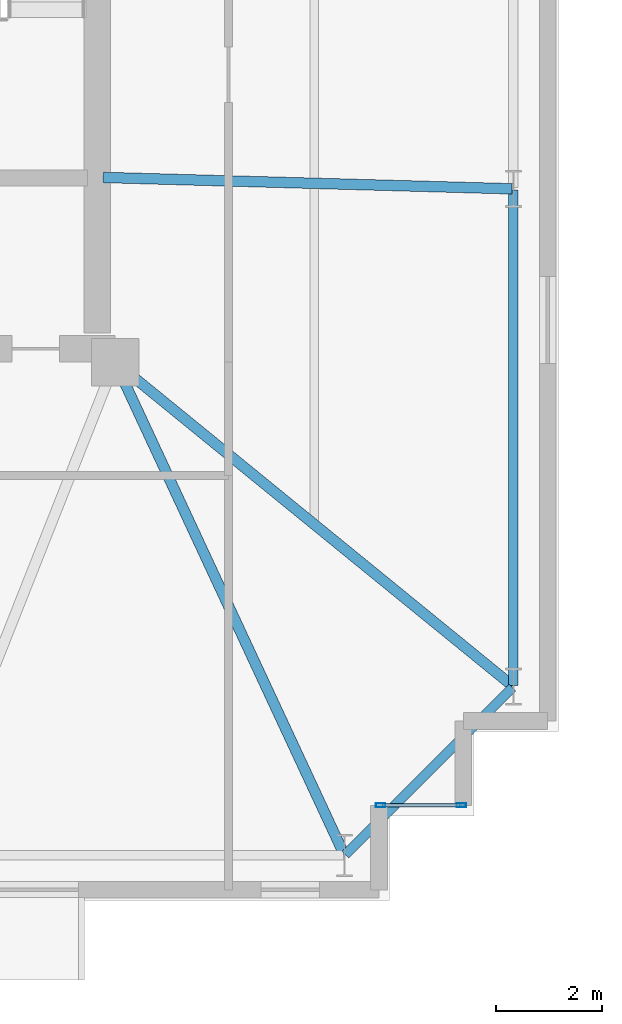
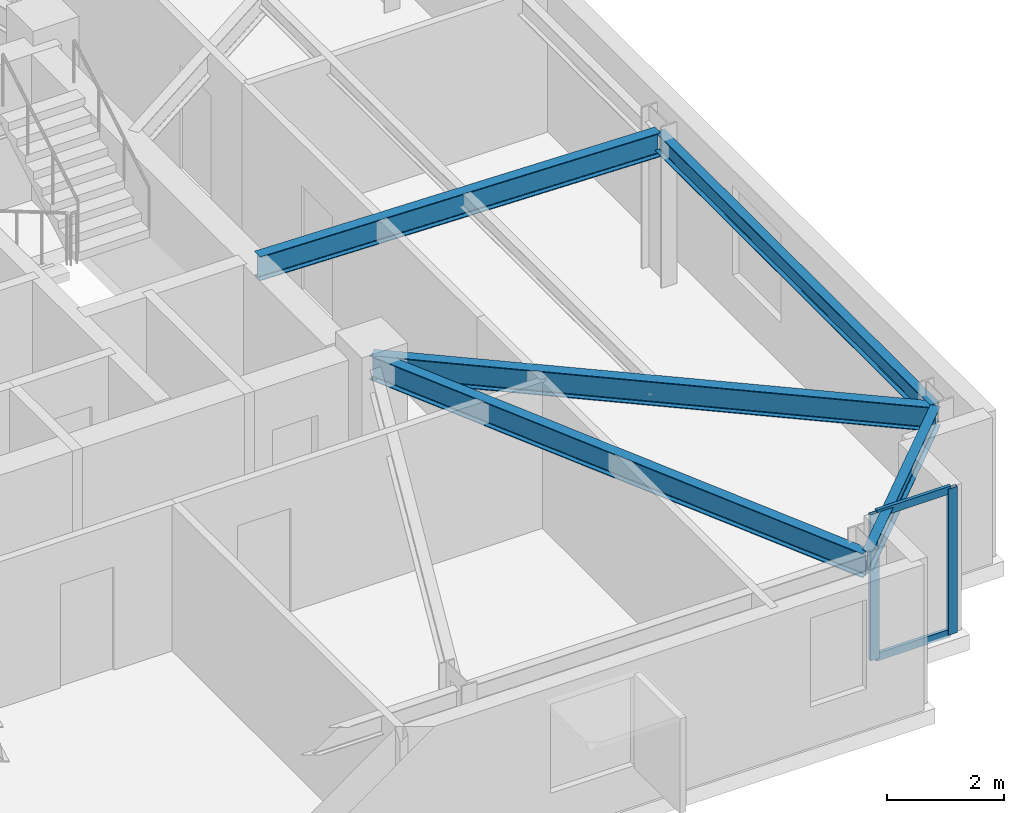
# One storey, part 5 of 17: 5 beams, 4 members, 1 element without a shape of its own.
"""IFC4 building model written with IfcOpenShell, lengths in metres."""

from ifc_helpers import new_model, si_unit, direction, frame, origin, origin_2d, place, context, subcontext, project, spatial, hollow_rectangle, i_section, extrude, material, layer, layer_set, material_profile, profile_set, type_object, element, aggregate, save


model = new_model("IFC4")

# Units and contexts
model_context = context("Model", 3, precision=1e-05, world=origin(), true_north=direction((0.0, 1.0)))
body_context = subcontext(model_context, "Body", "Model", "MODEL_VIEW")
ifc_project = project(units=[si_unit("LENGTHUNIT", "METRE"), si_unit("AREAUNIT", "SQUARE_METRE"), si_unit("VOLUMEUNIT", "CUBIC_METRE"), si_unit("PLANEANGLEUNIT", "RADIAN"), si_unit("MASSUNIT", "GRAM", prefix="KILO")], contexts=[model_context])

# Site, building, storey
site_placement = place(None, origin())
site = spatial("IfcSite", under=ifc_project, at=site_placement, CompositionType="ELEMENT")
building_placement = place(site_placement, origin())
building = spatial("IfcBuilding", under=site, at=building_placement, Name="Qobustan Lattice House", CompositionType="ELEMENT")
storey_placement = place(building_placement, frame((0.0, 0.0, 167.85009765625)))
storey = spatial("IfcBuildingStorey", under=building, at=storey_placement, Name="L47", CompositionType="ELEMENT", Elevation=167.85009765625)

# Beams
ifc_material_1 = material(Name="Steel S355", Category="steel")
ifc_material_profile_1 = material_profile(ifc_material_1, i_section(OverallWidth=0.199951171875, OverallDepth=0.5, WebThickness=0.01025390625, FlangeThickness=0.01611328125, FilletRadius=0.02099609375, at=origin_2d()), Name="IPE500")
ifc_profile_set_1 = profile_set([ifc_material_profile_1], Name="Steel S355")
beam_type_1 = type_object("IfcBeamType", Name="BM-FLG-IPE500", PredefinedType="USERDEFINED", material=ifc_profile_set_1)
beam_1_placement = place(storey_placement, frame((23.139404296875, -14.92724609375, 2.789794921875), z_axis=(-0.421827633168, 0.906676043521, 0.0), x_axis=(-0.906676043521, -0.421827633168, 0.0)))
element("IfcBeam", 1, at=beam_1_placement, inside=storey, type_object=beam_type_1, Name="L47 primary floor girder RAD-S7E", ObjectType="GIRDER", PredefinedType="USERDEFINED", context=body_context, shape_type="SweptSolid", body=[
    extrude(i_section(OverallWidth=0.199951171875, OverallDepth=0.5, WebThickness=0.01025390625, FlangeThickness=0.01611328125, FilletRadius=0.02099609375, at=origin_2d()), origin(), (0.0, 0.0, 1.0), 10.26220703125),
])
beam_2_placement = place(storey_placement, frame((26.324951171875, -2.31591796875, 2.789794921875), z_axis=(-0.999614226396, 0.027774059592, 0.0), x_axis=(-0.027774059592, -0.999614226396, 0.0)))
element("IfcBeam", 2, at=beam_2_placement, inside=storey, type_object=beam_type_1, Name="L47 primary floor girder RAD-E2", ObjectType="GIRDER", PredefinedType="USERDEFINED", context=body_context, shape_type="SweptSolid", body=[
    extrude(i_section(OverallWidth=0.199951171875, OverallDepth=0.5, WebThickness=0.01025390625, FlangeThickness=0.01611328125, FilletRadius=0.02099609375, at=origin_2d()), origin(), (0.0, 0.0, 1.0), 7.7529296875),
])
beam_3_placement = place(storey_placement, frame((26.33056640625, -11.734130859375, 2.789794921875), z_axis=(-0.775328675038, 0.631557951152, 0.0), x_axis=(-0.631557951152, -0.775328675038, 0.0)))
element("IfcBeam", 3, at=beam_3_placement, inside=storey, type_object=beam_type_1, Name="L47 primary floor girder RAD-E1", ObjectType="GIRDER", PredefinedType="USERDEFINED", context=body_context, shape_type="SweptSolid", body=[
    extrude(i_section(OverallWidth=0.199951171875, OverallDepth=0.5, WebThickness=0.01025390625, FlangeThickness=0.01611328125, FilletRadius=0.02099609375, at=origin_2d()), origin(), (0.0, 0.0, 1.0), 9.687744140625),
])
ifc_material_2 = material(Name="Steel S355", Category="steel")
ifc_material_profile_2 = material_profile(ifc_material_2, i_section(OverallWidth=0.179931640625, OverallDepth=0.39990234375, WebThickness=0.008544921875, FlangeThickness=0.013427734375, FilletRadius=0.02099609375, at=origin_2d()), Name="IPE400")
ifc_profile_set_2 = profile_set([ifc_material_profile_2], Name="Steel S355")
beam_type_2 = type_object("IfcBeamType", Name="BM-SPD-IPE400", PredefinedType="SPANDREL", material=ifc_profile_set_2)
beam_4_placement = place(storey_placement, frame((23.167724609375, -14.932373046875, 2.83984375), z_axis=(0.707079505568, 0.707134055753, 0.0), x_axis=(-0.707134055753, 0.707079505568, 0.0)))
element("IfcBeam", 4, at=beam_4_placement, inside=storey, type_object=beam_type_2, Name="L47 perimeter spandrel S7-E1", PredefinedType="SPANDREL", context=body_context, shape_type="SweptSolid", body=[
    extrude(i_section(OverallWidth=0.179931640625, OverallDepth=0.39990234375, WebThickness=0.008544921875, FlangeThickness=0.013427734375, FilletRadius=0.02099609375, at=origin_2d()), origin(), (0.0, 0.0, 1.0), 4.4755859375),
])
beam_5_placement = place(storey_placement, frame((26.35009765625, -11.72509765625, 2.83984375), z_axis=(0.0, 1.0, 0.0), x_axis=(-1.0, 0.0, 0.0)))
element("IfcBeam", 5, at=beam_5_placement, inside=storey, type_object=beam_type_2, Name="L47 perimeter spandrel E1-E2", PredefinedType="SPANDREL", context=body_context, shape_type="SweptSolid", body=[
    extrude(i_section(OverallWidth=0.179931640625, OverallDepth=0.39990234375, WebThickness=0.008544921875, FlangeThickness=0.013427734375, FilletRadius=0.02099609375, at=origin_2d()), origin(), (0.0, 0.0, 1.0), 9.38330078125),
])

# Curtain wall, members
ifc_material_3 = material(Name="Anodised aluminium and low-E glazing", Category="aluminium")
ifc_layer = layer(ifc_material_3, 0.219970703125)
ifc_layer_set = layer_set([ifc_layer], Name="Anodised aluminium and low-E glazing")
curtain_wall_type = type_object("IfcCurtainWallType", Name="CW-FAC-02", PredefinedType="USERDEFINED", material=ifc_layer_set)
curtain_wall_placement = place(storey_placement, origin())
curtain_wall = element("IfcCurtainWall", 6, at=curtain_wall_placement, inside=storey, type_object=curtain_wall_type, Name="L47 serrated corner faceted glazing 18", ObjectType="CURTAIN WALL", PredefinedType="USERDEFINED")
ifc_material_4 = material(Name="Anodised aluminium EN AW-6063 T6", Category="aluminium")
ifc_material_profile_3 = material_profile(ifc_material_4, hollow_rectangle(XDim=0.070068359375, YDim=0.179931640625, WallThickness=0.00439453125, at=origin_2d()), Name="CWM-180x70")
ifc_profile_set_3 = profile_set([ifc_material_profile_3], Name="Anodised aluminium EN AW-6063 T6")
member_type_1 = type_object("IfcMemberType", Name="CWM-STD-180", PredefinedType="MULLION", material=ifc_profile_set_3)
member_1_placement = place(storey_placement, frame((25.364990234375, -14.0, 0.0), z_axis=(0.0, 0.0, 1.0), x_axis=(0.0, -1.0, 0.0)))
member_1 = element("IfcMember", 7, at=member_1_placement, type_object=member_type_1, Name="CW-F2 mullion 1", PredefinedType="MULLION", context=body_context, shape_type="SweptSolid", body=[
    extrude(hollow_rectangle(XDim=0.070068359375, YDim=0.179931640625, WallThickness=0.00439453125, at=origin_2d()), origin(), (0.0, 0.0, 1.0), 3.039794921875),
])
member_2_placement = place(storey_placement, frame((23.8349609375, -14.0, 0.0), z_axis=(0.0, 0.0, 1.0), x_axis=(0.0, -1.0, 0.0)))
member_2 = element("IfcMember", 8, at=member_2_placement, type_object=member_type_1, Name="CW-F2 mullion 2", PredefinedType="MULLION", context=body_context, shape_type="SweptSolid", body=[
    extrude(hollow_rectangle(XDim=0.070068359375, YDim=0.179931640625, WallThickness=0.00439453125, at=origin_2d()), origin(), (0.0, 0.0, 1.0), 3.039794921875),
])
ifc_material_5 = material(Name="Anodised aluminium EN AW-6063 T6", Category="aluminium")
ifc_material_profile_4 = material_profile(ifc_material_5, hollow_rectangle(XDim=0.06494140625, YDim=0.159912109375, WallThickness=0.00390625, at=origin_2d()), Name="CWT-160x65")
ifc_profile_set_4 = profile_set([ifc_material_profile_4], Name="Anodised aluminium EN AW-6063 T6")
member_type_2 = type_object("IfcMemberType", Name="CWT-HOR-160", PredefinedType="USERDEFINED", material=ifc_profile_set_4)
member_3_placement = place(storey_placement, frame((25.330078125, -14.0, 0.032470703125), z_axis=(-1.0, 0.0, 0.0), x_axis=(0.0, -1.0, 0.0)))
member_3 = element("IfcMember", 9, at=member_3_placement, type_object=member_type_2, Name="CW-F2 transom 1.1", ObjectType="TRANSOM", PredefinedType="USERDEFINED", context=body_context, shape_type="SweptSolid", body=[
    extrude(hollow_rectangle(XDim=0.06494140625, YDim=0.159912109375, WallThickness=0.00390625, at=origin_2d()), origin(), (0.0, 0.0, 1.0), 1.4599609375),
])
member_4_placement = place(storey_placement, frame((25.330078125, -14.0, 3.00732421875), z_axis=(-1.0, 0.0, 0.0), x_axis=(0.0, -1.0, 0.0)))
member_4 = element("IfcMember", 10, at=member_4_placement, type_object=member_type_2, Name="CW-F2 transom 1.2", ObjectType="TRANSOM", PredefinedType="USERDEFINED", context=body_context, shape_type="SweptSolid", body=[
    extrude(hollow_rectangle(XDim=0.06494140625, YDim=0.159912109375, WallThickness=0.00390625, at=origin_2d()), origin(), (0.0, 0.0, 1.0), 1.4599609375),
])
aggregate(curtain_wall, [member_1, member_2, member_3, member_4])

save(model, "model.ifc")
